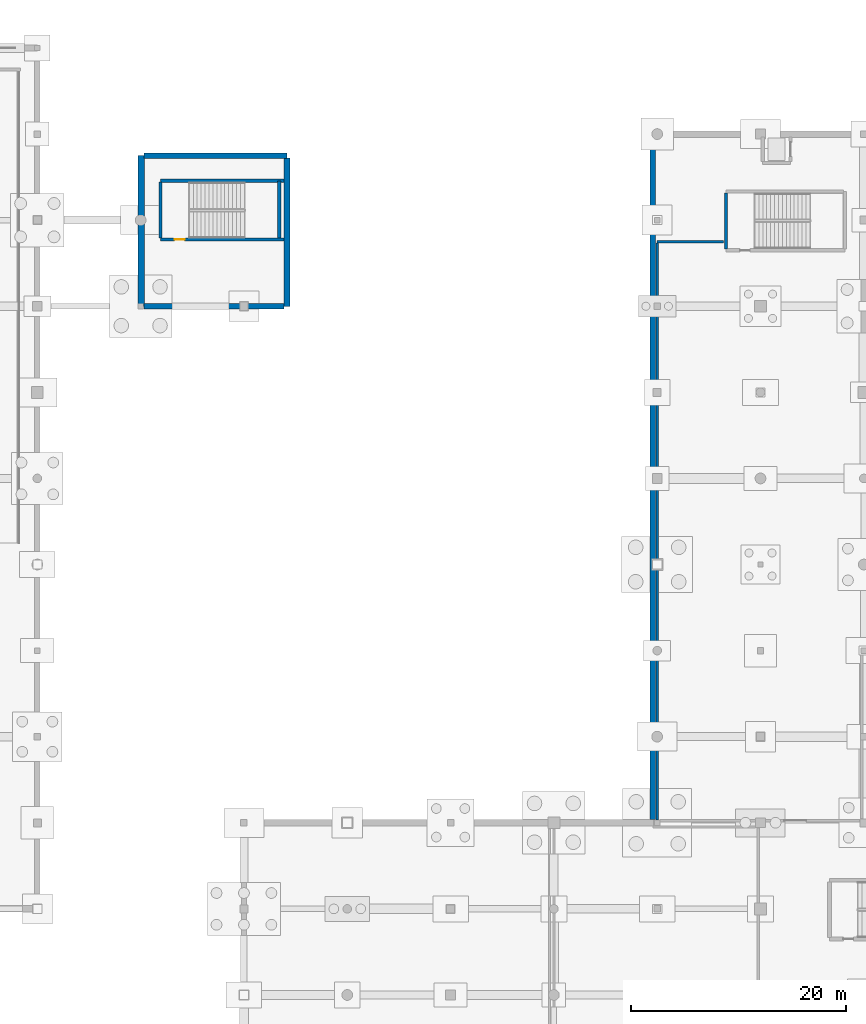
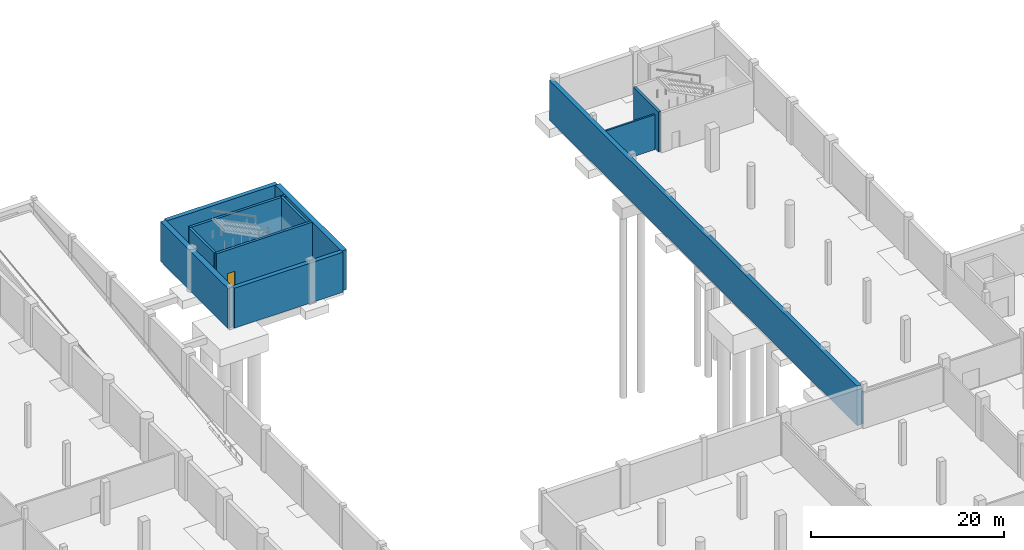
# One storey, part 29 of 44: 12 walls, 1 door, 1 opening.
"""IFC4 building model written with IfcOpenShell, lengths in metres."""

from ifc_helpers import new_model, si_unit, direction, frame, frame_2d, origin, place, context, subcontext, project, spatial, rectangle, extrude, material, layer, layer_set, type_object, element, fill, save


model = new_model("IFC4")

# Units and contexts
model_context = context("Model", 3, precision=1e-05, world=origin(), true_north=direction((0.0, 1.0)))
body_context = subcontext(model_context, "Body", "Model", "MODEL_VIEW")
ifc_project = project(units=[si_unit("LENGTHUNIT", "METRE"), si_unit("AREAUNIT", "SQUARE_METRE"), si_unit("VOLUMEUNIT", "CUBIC_METRE"), si_unit("PLANEANGLEUNIT", "RADIAN"), si_unit("MASSUNIT", "GRAM", prefix="KILO")], contexts=[model_context])

# Site, building, storey
site_placement = place(None, origin())
site = spatial("IfcSite", under=ifc_project, at=site_placement, CompositionType="ELEMENT")
building_placement = place(site_placement, origin())
building = spatial("IfcBuilding", under=site, at=building_placement, Name="Danafjord Basin Convention Centre", CompositionType="ELEMENT")
storey_placement = place(building_placement, frame((0.0, 0.0, -5.39990234375)))
storey = spatial("IfcBuildingStorey", under=building, at=storey_placement, Name="B1", CompositionType="ELEMENT", Elevation=-5.39990234375)

# Wall
ifc_material_1 = material(Name="Concrete C40/50", Category="concrete")
ifc_layer_1 = layer(ifc_material_1, 0.300048828125)
ifc_layer_set_1 = layer_set([ifc_layer_1], Name="Concrete C40/50")
wall_type_1 = type_object("IfcWallType", Name="WALL-CW-CORE300", PredefinedType="SHEAR", material=ifc_layer_set_1)
wall_1_placement = place(storey_placement, frame((188.800048828125, 122.52490234375, 0.0), z_axis=(0.0, 0.0, 1.0), x_axis=(0.0, -1.0, 0.0)))
element("IfcWall", 1, at=wall_1_placement, inside=storey, type_object=wall_type_1, Name="Plenary North-East Core Stair 1 core shear wall (west)", PredefinedType="SHEAR", context=body_context, shape_type="SweptSolid", body=[
    extrude(rectangle(XDim=5.18994140625, YDim=0.300048828125, at=frame_2d((2.594970703125, 0.0))), origin(), (0.0, 0.0, 1.0), 5.059814453125),
])

# Wall, opening, door
wall_2_placement = place(storey_placement, frame((136.25, 118.199951171875, 0.0), z_axis=(0.0, 0.0, 1.0), x_axis=(1.0, 0.0, 0.0)))
wall_2 = element("IfcWall", 2, at=wall_2_placement, inside=storey, type_object=wall_type_1, Name="Plenary West Escape Stair core shear wall (south)", PredefinedType="SHEAR", context=body_context, shape_type="SweptSolid", body=[
    extrude(rectangle(XDim=11.469970703125, YDim=0.300048828125, at=frame_2d((5.73486328125, 0.0))), origin(), (0.0, 0.0, 1.0), 5.059814453125),
])
opening_placement = place(wall_2_placement, frame((1.31689453125, 0.0, 0.0)))
opening = element("IfcOpeningElement", 3, at=opening_placement, cuts=wall_2, Name="Opening FD-S01", PredefinedType="OPENING", context=body_context, shape_type="SweptSolid", body=[
    extrude(rectangle(XDim=0.909912109375, YDim=2.080078125, at=frame_2d((0.455078125, 1.0400390625))), frame((0.0, 0.159912109375, 0.0), z_axis=(0.0, -1.0, 0.0), x_axis=(1.0, 0.0, 0.0)), (0.0, 0.0, 1.0), 0.320068359375),
])
ifc_material_2 = material(Name="Powder-coated steel and Nordic oak", Category="steel")
door_type = type_object("IfcDoorType", Name="DOOR-FD-S01", OperationType="NOTDEFINED", PredefinedType="DOOR", material=ifc_material_2)
door_placement = place(opening_placement, origin())
door = element("IfcDoor", 4, at=door_placement, inside=storey, type_object=door_type, Name="Plenary West Escape Stair B1 Fire Exit Door", OperationType="SINGLE_SWING_RIGHT", OverallHeight=2.080078125, OverallWidth=0.909912109375, PredefinedType="DOOR", context=body_context, shape_type="SweptSolid", body=[
    extrude(rectangle(XDim=0.909912109375, YDim=2.080078125, at=frame_2d((0.455078125, 1.0400390625))), frame((0.0, 0.02490234375, 0.0), z_axis=(0.0, -1.0, 0.0), x_axis=(1.0, 0.0, 0.0)), (0.0, 0.0, 1.0), 0.050048828125),
])
fill(opening, door)

# Walls
wall_3_placement = place(storey_placement, frame((147.2900390625, 118.3349609375, 0.0), z_axis=(0.0, 0.0, 1.0), x_axis=(0.0, 1.0, 0.0)))
element("IfcWall", 5, at=wall_3_placement, inside=storey, type_object=wall_type_1, Name="Plenary West Escape Stair core shear wall (east)", PredefinedType="SHEAR", context=body_context, shape_type="SweptSolid", body=[
    extrude(rectangle(XDim=5.324951171875, YDim=0.300048828125, at=frame_2d((2.66259765625, 0.0))), origin(), (0.0, 0.0, 1.0), 5.059814453125),
])
wall_4_placement = place(storey_placement, frame((147.719970703125, 123.659912109375, 0.0), z_axis=(0.0, 0.0, 1.0), x_axis=(-1.0, 0.0, 0.0)))
element("IfcWall", 6, at=wall_4_placement, inside=storey, type_object=wall_type_1, Name="Plenary West Escape Stair core shear wall (north)", PredefinedType="SHEAR", context=body_context, shape_type="SweptSolid", body=[
    extrude(rectangle(XDim=11.469970703125, YDim=0.300048828125, at=frame_2d((5.73486328125, 0.0))), origin(), (0.0, 0.0, 1.0), 5.059814453125),
])
wall_5_placement = place(storey_placement, frame((136.25, 123.52490234375, 0.0), z_axis=(0.0, 0.0, 1.0), x_axis=(0.0, -1.0, 0.0)))
element("IfcWall", 7, at=wall_5_placement, inside=storey, type_object=wall_type_1, Name="Plenary West Escape Stair core shear wall (west)", PredefinedType="SHEAR", context=body_context, shape_type="SweptSolid", body=[
    extrude(rectangle(XDim=5.18994140625, YDim=0.300048828125, at=frame_2d((2.594970703125, 0.0))), origin(), (0.0, 0.0, 1.0), 5.059814453125),
])
ifc_layer_2 = layer(ifc_material_1, 0.5)
ifc_layer_set_2 = layer_set([ifc_layer_2], Name="Concrete C40/50")
wall_type_2 = type_object("IfcWallType", Name="WALL-EW-RET500", PredefinedType="SHEAR", material=ifc_layer_set_2)
wall_6_placement = place(storey_placement, frame((182.0, 64.284912109375, 0.0), z_axis=(0.0, 0.0, 1.0), x_axis=(0.0, 1.0, 0.0)))
element("IfcWall", 8, at=wall_6_placement, inside=storey, type_object=wall_type_2, Name="B1 waterproofed basement retaining wall 2", PredefinedType="SHEAR", context=body_context, shape_type="SweptSolid", body=[
    extrude(rectangle(XDim=63.715087890625, YDim=0.5, at=frame_2d((31.857421875, 0.0))), origin(), (0.0, 0.0, 1.0), 5.02001953125),
])
wall_7_placement = place(storey_placement, frame((134.735107421875, 126.0, 0.0), z_axis=(0.0, 0.0, 1.0), x_axis=(1.0, 0.0, 0.0)))
element("IfcWall", 9, at=wall_7_placement, inside=storey, type_object=wall_type_2, Name="B1 waterproofed basement retaining wall 14", PredefinedType="SHEAR", context=body_context, shape_type="SweptSolid", body=[
    extrude(rectangle(XDim=13.264892578125, YDim=0.5, at=frame_2d((6.63232421875, 0.0))), origin(), (0.0, 0.0, 1.0), 5.059814453125),
])
wall_8_placement = place(storey_placement, frame((147.715087890625, 112.0, 0.0), z_axis=(0.0, 0.0, 1.0), x_axis=(-1.0, 0.0, 0.0)))
element("IfcWall", 10, at=wall_8_placement, inside=storey, type_object=wall_type_2, Name="B1 waterproofed basement retaining wall 16", PredefinedType="SHEAR", context=body_context, shape_type="SweptSolid", body=[
    extrude(rectangle(XDim=12.97998046875, YDim=0.5, at=frame_2d((6.489990234375, 0.0))), origin(), (0.0, 0.0, 1.0), 5.059814453125),
])
ifc_layer_3 = layer(ifc_material_1, 0.60009765625)
ifc_layer_set_3 = layer_set([ifc_layer_3], Name="Concrete C40/50")
wall_type_3 = type_object("IfcWallType", Name="WALL-EW-RET600", PredefinedType="SHEAR", material=ifc_layer_set_3)
wall_9_placement = place(storey_placement, frame((134.449951171875, 112.0, 0.0), z_axis=(0.0, 0.0, 1.0), x_axis=(0.0, 1.0, 0.0)))
element("IfcWall", 11, at=wall_9_placement, inside=storey, type_object=wall_type_3, Name="B1 waterproofed basement retaining wall 13", PredefinedType="SHEAR", context=body_context, shape_type="SweptSolid", body=[
    extrude(rectangle(XDim=14.0, YDim=0.60009765625, at=frame_2d((7.0, 0.0))), origin(), (0.0, 0.0, 1.0), 5.059814453125),
])
wall_10_placement = place(storey_placement, frame((148.0, 125.764892578125, 0.0), z_axis=(0.0, 0.0, 1.0), x_axis=(0.0, -1.0, 0.0)))
element("IfcWall", 12, at=wall_10_placement, inside=storey, type_object=wall_type_3, Name="B1 waterproofed basement retaining wall 15", PredefinedType="SHEAR", context=body_context, shape_type="SweptSolid", body=[
    extrude(rectangle(XDim=13.764892578125, YDim=0.60009765625, at=frame_2d((6.88232421875, 0.0))), origin(), (0.0, 0.0, 1.0), 5.059814453125),
])
ifc_material_3 = material(Name="Concrete C35/45", Category="concrete")
ifc_layer_4 = layer(ifc_material_3, 0.205078125)
ifc_layer_set_4 = layer_set([ifc_layer_4], Name="Concrete C35/45")
wall_type_4 = type_object("IfcWallType", Name="WALL-W-COMP205", PredefinedType="SOLIDWALL", material=ifc_layer_set_4)
wall_11_placement = place(storey_placement, frame((188.550048828125, 118.0, 0.0), z_axis=(0.0, 0.0, 1.0), x_axis=(-1.0, 0.0, 0.0)))
element("IfcWall", 13, at=wall_11_placement, inside=storey, type_object=wall_type_4, Name="Auditorium Hydraulics and Audio-Visual Crate Store north partition", PredefinedType="SOLIDWALL", context=body_context, shape_type="SweptSolid", body=[
    extrude(rectangle(XDim=6.150146484375, YDim=0.205078125, at=frame_2d((3.0751953125, 0.0))), origin(), (0.0, 0.0, 1.0), 4.429931640625),
])
wall_12_placement = place(storey_placement, frame((182.39990234375, 117.8935546875, 0.0), z_axis=(0.0, 0.0, 1.0), x_axis=(0.0, -1.0, 0.0)))
element("IfcWall", 14, at=wall_12_placement, inside=storey, type_object=wall_type_4, Name="Auditorium Hydraulics and Audio-Visual Crate Store west partition", PredefinedType="SOLIDWALL", context=body_context, shape_type="SweptSolid", body=[
    extrude(rectangle(XDim=53.613525390625, YDim=0.205078125, at=frame_2d((26.806640625, 0.0))), origin(), (0.0, 0.0, 1.0), 4.10986328125),
])

save(model, "model.ifc")
